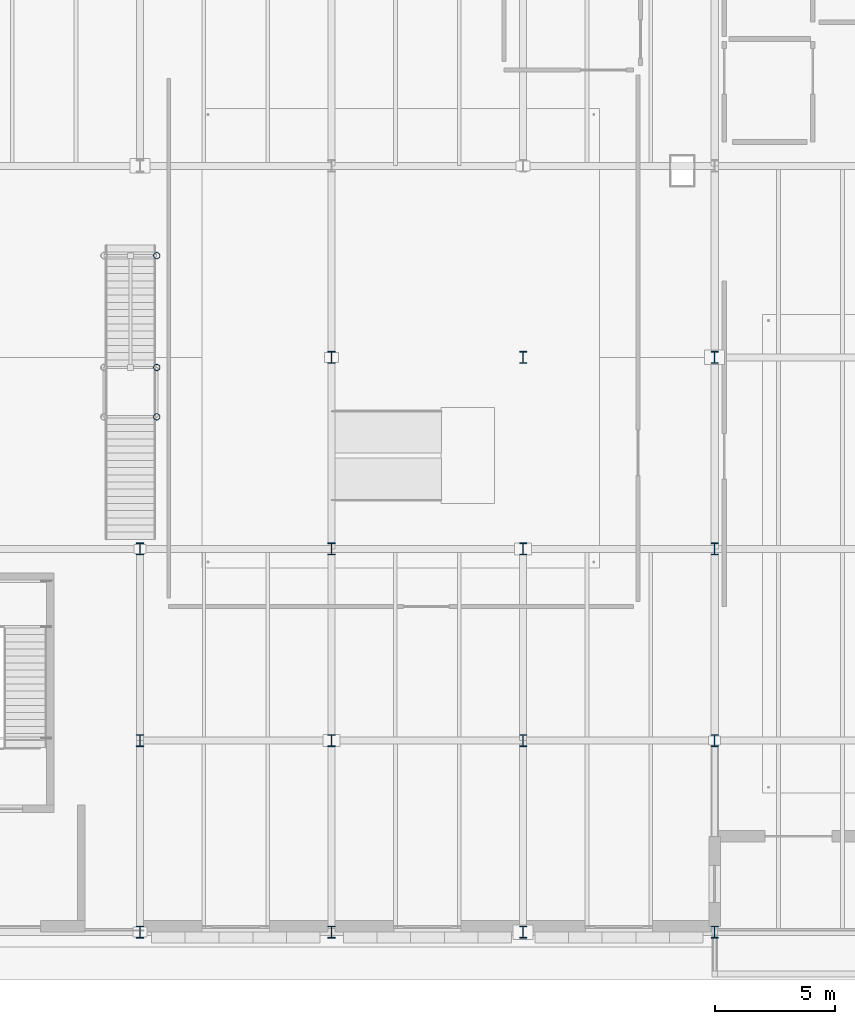
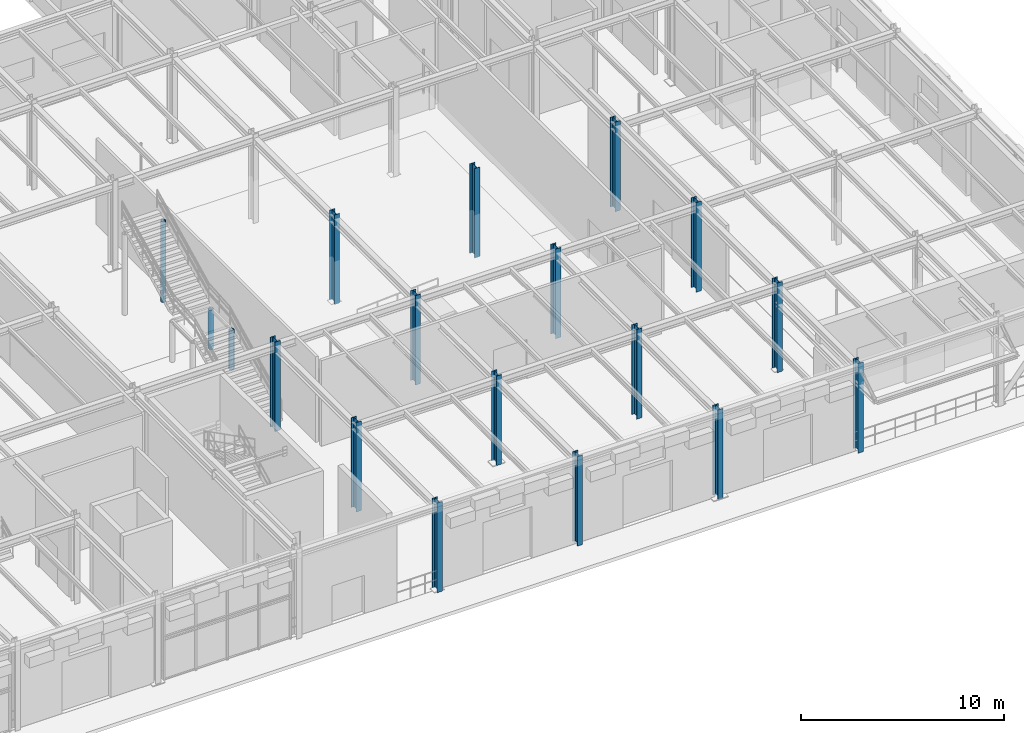
# One storey, part 18 of 129: 18 columns.
"""IFC4 building model written with IfcOpenShell, lengths in metres."""

from ifc_helpers import new_model, si_unit, direction, frame, origin, origin_2d, place, context, subcontext, project, spatial, hollow_circle, i_section, extrude, material, material_profile, profile_set, type_object, element, save


model = new_model("IFC4")

# Units and contexts
model_context = context("Model", 3, precision=1e-05, world=origin(), true_north=direction((0.0, 1.0)))
body_context = subcontext(model_context, "Body", "Model", "MODEL_VIEW")
ifc_project = project(units=[si_unit("LENGTHUNIT", "METRE"), si_unit("AREAUNIT", "SQUARE_METRE"), si_unit("VOLUMEUNIT", "CUBIC_METRE"), si_unit("PLANEANGLEUNIT", "RADIAN"), si_unit("MASSUNIT", "GRAM", prefix="KILO")], contexts=[model_context])

# Site, building, storey
site_placement = place(None, origin())
site = spatial("IfcSite", under=ifc_project, at=site_placement, CompositionType="ELEMENT")
building_placement = place(site_placement, origin())
building = spatial("IfcBuilding", under=site, at=building_placement, Name="Sundkrona Museum", CompositionType="ELEMENT")
storey_placement = place(building_placement, origin())
storey = spatial("IfcBuildingStorey", under=building, at=storey_placement, Name="L00", CompositionType="ELEMENT", Elevation=0.0)

# Columns
ifc_material = material(Name="Steel S355J2", Category="steel")
ifc_material_profile_1 = material_profile(ifc_material, hollow_circle(Radius=0.136474609375, WallThickness=0.012451171875, at=origin_2d()), Name="CHS 273.0x12.5")
ifc_profile_set_1 = profile_set([ifc_material_profile_1], Name="Steel S355J2")
column_type_1 = type_object("IfcColumnType", Name="C-CHS273", PredefinedType="COLUMN", material=ifc_profile_set_1)
for number, where, z_axis, x_axis, name in (
    (1, (128.699951171875, 21.52001953125, 0.0), (0.0, 0.0, 1.0), (1.0, 0.0, 0.0), "L00 Feature Stair FS-5 Column S1-1"),
    (2, (128.699951171875, 23.580078125, 0.0), (0.0, 0.0, 1.0), (1.0, 0.0, 0.0), "L00 Feature Stair FS-5 Column S2-1"),
):
    element("IfcColumn", number, at=place(storey_placement, frame(where, z_axis=z_axis, x_axis=x_axis)), inside=storey, type_object=column_type_1, Name=name, PredefinedType="COLUMN", context=body_context, shape_type="SweptSolid", body=[
        extrude(hollow_circle(Radius=0.136474609375, WallThickness=0.012451171875, at=origin_2d()), origin(), (0.0, 0.0, 1.0), 2.3798828125),
    ])
column_placement = place(storey_placement, frame((128.699951171875, 28.25, 0.0), z_axis=(0.0, 0.0, 1.0), x_axis=(1.0, 0.0, 0.0)))
element("IfcColumn", 3, at=column_placement, inside=storey, type_object=column_type_1, Name="L00 Feature Stair FS-5 Column S3-1", PredefinedType="COLUMN", context=body_context, shape_type="SweptSolid", body=[
    extrude(hollow_circle(Radius=0.136474609375, WallThickness=0.012451171875, at=origin_2d()), origin(), (0.0, 0.0, 1.0), 4.860107421875),
])
ifc_material_profile_2 = material_profile(ifc_material, i_section(OverallWidth=0.300048828125, OverallDepth=0.5, WebThickness=0.014404296875, FlangeThickness=0.028076171875, FilletRadius=0.027099609375, at=origin_2d()), Name="HEB 500")
ifc_profile_set_2 = profile_set([ifc_material_profile_2], Name="Steel S355J2")
column_type_2 = type_object("IfcColumnType", Name="C-HEB500", PredefinedType="COLUMN", material=ifc_profile_set_2)
for number, where, z_axis, x_axis, name in (
    (4, (128.0, 0.0, 0.0), (0.0, 0.0, 1.0), (1.0, 0.0, 0.0), "L00 Column A/17"),
    (5, (128.0, 8.0, 0.0), (0.0, 0.0, 1.0), (1.0, 0.0, 0.0), "L00 Column B/17"),
    (6, (128.0, 16.0, 0.0), (0.0, 0.0, 1.0), (1.0, 0.0, 0.0), "L00 Column C/17"),
    (7, (136.0, 0.0, 0.0), (0.0, 0.0, 1.0), (1.0, 0.0, 0.0), "L00 Column A/18"),
    (8, (136.0, 8.0, 0.0), (0.0, 0.0, 1.0), (1.0, 0.0, 0.0), "L00 Column B/18"),
    (9, (136.0, 16.0, 0.0), (0.0, 0.0, 1.0), (1.0, 0.0, 0.0), "L00 Column C/18"),
    (10, (136.0, 24.0, 0.0), (0.0, 0.0, 1.0), (1.0, 0.0, 0.0), "L00 Column D/18"),
    (11, (144.0, 0.0, 0.0), (0.0, 0.0, 1.0), (1.0, 0.0, 0.0), "L00 Column A/19"),
    (12, (144.0, 8.0, 0.0), (0.0, 0.0, 1.0), (1.0, 0.0, 0.0), "L00 Column B/19"),
    (13, (144.0, 16.0, 0.0), (0.0, 0.0, 1.0), (1.0, 0.0, 0.0), "L00 Column C/19"),
    (14, (144.0, 24.0, 0.0), (0.0, 0.0, 1.0), (1.0, 0.0, 0.0), "L00 Column D/19"),
    (15, (152.0, 0.0, 0.0), (0.0, 0.0, 1.0), (1.0, 0.0, 0.0), "L00 Column A/20"),
    (16, (152.0, 8.0, 0.0), (0.0, 0.0, 1.0), (1.0, 0.0, 0.0), "L00 Column B/20"),
    (17, (152.0, 16.0, 0.0), (0.0, 0.0, 1.0), (1.0, 0.0, 0.0), "L00 Column C/20"),
    (18, (152.0, 24.0, 0.0), (0.0, 0.0, 1.0), (1.0, 0.0, 0.0), "L00 Column D/20"),
):
    element("IfcColumn", number, at=place(storey_placement, frame(where, z_axis=z_axis, x_axis=x_axis)), inside=storey, type_object=column_type_2, Name=name, PredefinedType="COLUMN", context=body_context, shape_type="SweptSolid", body=[
        extrude(i_section(OverallWidth=0.300048828125, OverallDepth=0.5, WebThickness=0.014404296875, FlangeThickness=0.028076171875, FilletRadius=0.027099609375, at=origin_2d()), origin(), (0.0, 0.0, 1.0), 5.39990234375),
    ])

save(model, "model.ifc")
